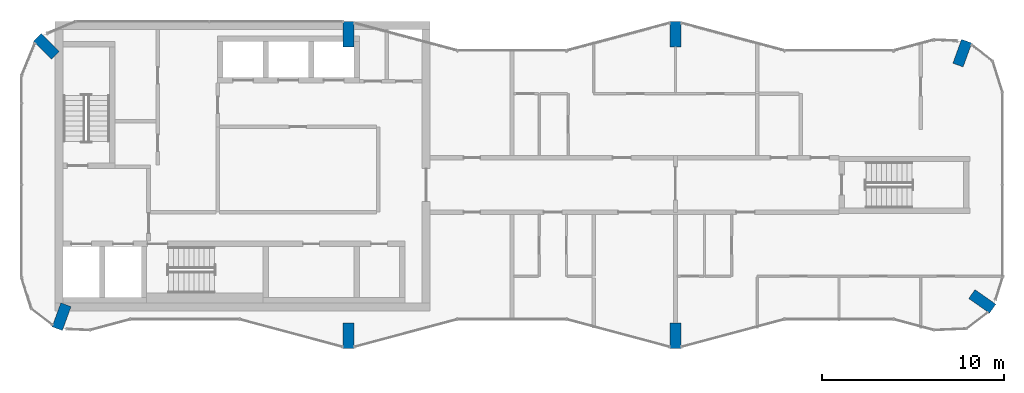
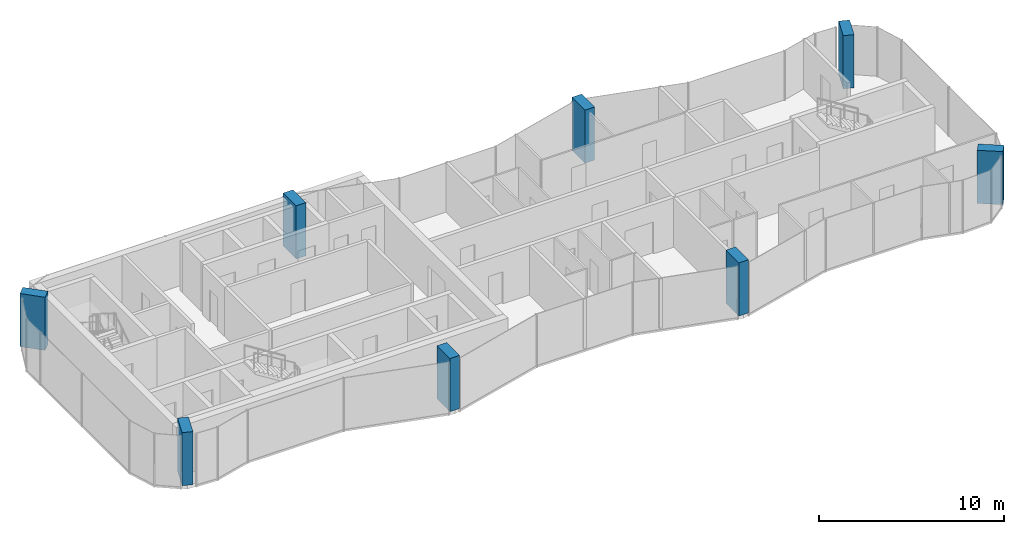
# One storey, part 1 of 10: 8 columns.
"""IFC4 building model written with IfcOpenShell, lengths in metres."""

from ifc_helpers import new_model, si_unit, direction, frame, origin, origin_2d, place, context, subcontext, project, spatial, rectangle, extrude, material, material_profile, profile_set, type_object, element, save


model = new_model("IFC4")

# Units and contexts
model_context = context("Model", 3, precision=1e-05, world=origin(), true_north=direction((0.0, 1.0)))
body_context = subcontext(model_context, "Body", "Model", "MODEL_VIEW")
ifc_project = project(units=[si_unit("LENGTHUNIT", "METRE"), si_unit("AREAUNIT", "SQUARE_METRE"), si_unit("VOLUMEUNIT", "CUBIC_METRE"), si_unit("PLANEANGLEUNIT", "RADIAN"), si_unit("MASSUNIT", "GRAM", prefix="KILO")], contexts=[model_context])

# Site, building, storey
site_placement = place(None, origin())
site = spatial("IfcSite", under=ifc_project, at=site_placement, CompositionType="ELEMENT")
building_placement = place(site_placement, origin())
building = spatial("IfcBuilding", under=site, at=building_placement, Name="Plateau Cross Towers", CompositionType="ELEMENT")
storey_placement = place(building_placement, frame((0.0, 0.0, 277.39990234375)))
storey = spatial("IfcBuildingStorey", under=building, at=storey_placement, Name="L73", CompositionType="ELEMENT", Elevation=277.39990234375)

# Columns
ifc_material = material(Name="Concrete C60/75", Category="concrete")
ifc_material_profile = material_profile(ifc_material, rectangle(XDim=0.60009765625, YDim=1.39990234375, at=origin_2d()), Name="RC 600x1400")
ifc_profile_set = profile_set([ifc_material_profile], Name="Concrete C60/75")
column_type = type_object("IfcColumnType", Name="Fin pier column RC 600x1400", PredefinedType="COLUMN", material=ifc_profile_set)
for number, where, z_axis, x_axis, name in (
    (1, (18.0, 0.699951171875, 0.0), (0.0, 0.0, 1.0), (1.0, 0.0, 0.0), "PR1 L73"),
    (2, (36.0, 0.699951171875, 0.0), (0.0, 0.0, 1.0), (1.0, 0.0, 0.0), "PR2 L73"),
    (3, (52.884033203125, 2.590087890625, 0.0), (0.0, 0.0, 1.0), (0.573542637991, 0.819175709117, 0.0), "PR3 L73"),
    (4, (51.786865234375, 16.251953125, 0.0), (0.0, 0.0, 1.0), (-0.939664280925, 0.342097996418, 0.0), "PR4 L73"),
    (5, (36.0, 17.300048828125, 0.0), (0.0, 0.0, 1.0), (1.0, 0.0, 0.0), "PR5 L73"),
    (6, (18.0, 17.300048828125, 0.0), (0.0, 0.0, 1.0), (1.0, 0.0, 0.0), "PR13 L73"),
    (7, (1.37353515625, 16.62646484375, 0.0), (0.0, 0.0, 1.0), (0.707106781187, 0.707106781187, 0.0), "PR14 L73"),
    (8, (2.213134765625, 1.748046875, 0.0), (0.0, 0.0, 1.0), (-0.939664280925, 0.342097996418, 0.0), "PR12 L73"),
):
    element("IfcColumn", number, at=place(storey_placement, frame(where, z_axis=z_axis, x_axis=x_axis)), inside=storey, type_object=column_type, Name=name, PredefinedType="COLUMN", context=body_context, shape_type="SweptSolid", body=[
        extrude(rectangle(XDim=0.60009765625, YDim=1.39990234375, at=origin_2d()), origin(), (0.0, 0.0, 1.0), 3.5),
    ])

save(model, "model.ifc")
